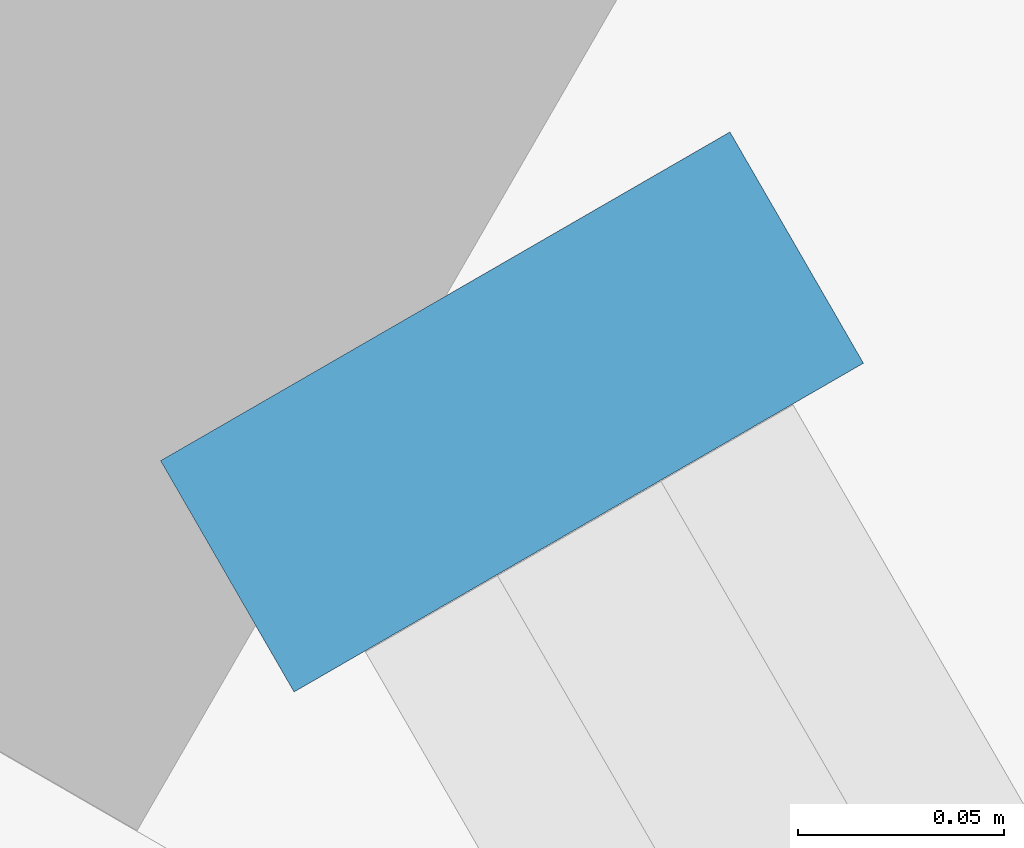
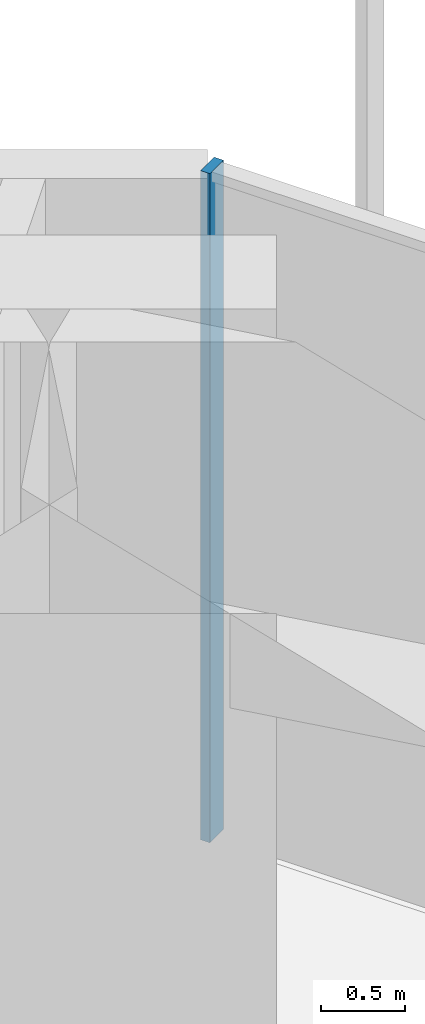
# One storey, part 217 of 228: 1 member, 1 element without a shape of its own.
"""IFC4 building model written with IfcOpenShell, lengths in metres."""

from ifc_helpers import new_model, si_unit, direction, frame, origin, origin_2d, place, context, subcontext, project, spatial, rectangle, extrude, material, material_profile, profile_set, type_object, element, aggregate, save


model = new_model("IFC4")

# Units and contexts
model_context = context("Model", 3, precision=1e-05, world=origin(), true_north=direction((0.0, 1.0)))
body_context = subcontext(model_context, "Body", "Model", "MODEL_VIEW")
ifc_project = project(units=[si_unit("LENGTHUNIT", "METRE"), si_unit("AREAUNIT", "SQUARE_METRE"), si_unit("VOLUMEUNIT", "CUBIC_METRE"), si_unit("PLANEANGLEUNIT", "RADIAN"), si_unit("MASSUNIT", "GRAM", prefix="KILO")], contexts=[model_context])

# Site, building, storey
site_placement = place(None, origin())
site = spatial("IfcSite", under=ifc_project, at=site_placement, CompositionType="ELEMENT")
building_placement = place(site_placement, origin())
building = spatial("IfcBuilding", under=site, at=building_placement, Name="Sandreach Pilgrim Tower", CompositionType="ELEMENT")
storey_placement = place(building_placement, frame((0.0, 0.0, 178.199951171875)))
storey = spatial("IfcBuildingStorey", under=building, at=storey_placement, Name="L44", CompositionType="ELEMENT", Elevation=178.199951171875)

# Curtain wall, member
ifc_material_1 = material(Name="Aluminium framed curtain wall", Category="aluminium")
curtain_wall_type = type_object("IfcCurtainWallType", Name="Upper hotel tower curtain wall", PredefinedType="NOTDEFINED", material=ifc_material_1)
curtain_wall_placement = place(storey_placement, origin())
curtain_wall = element("IfcCurtainWall", 1, at=curtain_wall_placement, inside=storey, type_object=curtain_wall_type, Name="CW-3 L44 NE", PredefinedType="NOTDEFINED")
ifc_material_2 = material(Name="Aluminium extrusion", Category="aluminium")
ifc_material_profile = material_profile(ifc_material_2, rectangle(XDim=0.06494140625, YDim=0.159912109375, at=origin_2d()), Name="CW-3M 65X160")
ifc_profile_set = profile_set([ifc_material_profile], Name="Aluminium extrusion")
member_type = type_object("IfcMemberType", Name="CW-3 mullion", PredefinedType="MULLION", material=ifc_profile_set)
member_placement = place(storey_placement, frame((18.93896484375, 20.2470703125, 0.0), z_axis=(0.0, 0.0, 1.0), x_axis=(0.5, -0.866025403784, 0.0)))
member = element("IfcMember", 2, at=member_placement, type_object=member_type, Name="CW-3 mullion 1", PredefinedType="MULLION", context=body_context, shape_type="SweptSolid", body=[
    extrude(rectangle(XDim=0.06494140625, YDim=0.159912109375, at=origin_2d()), origin(), (0.0, 0.0, 1.0), 4.840087890625),
])
aggregate(curtain_wall, [member])

save(model, "model.ifc")
